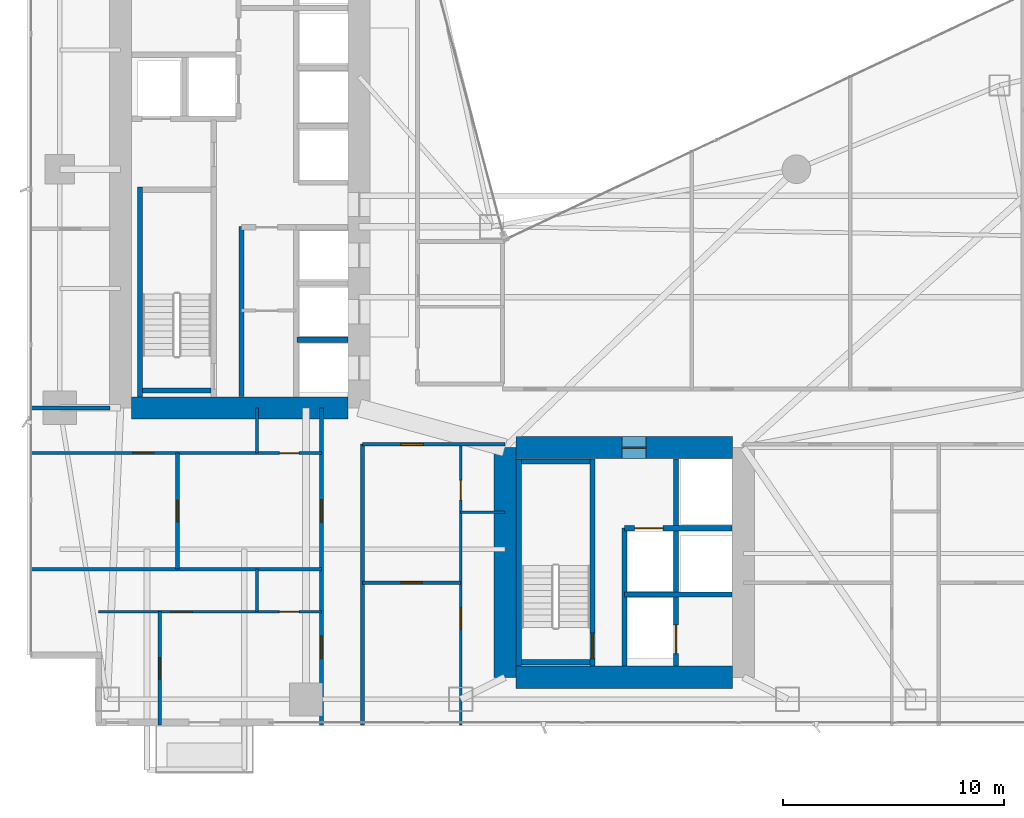
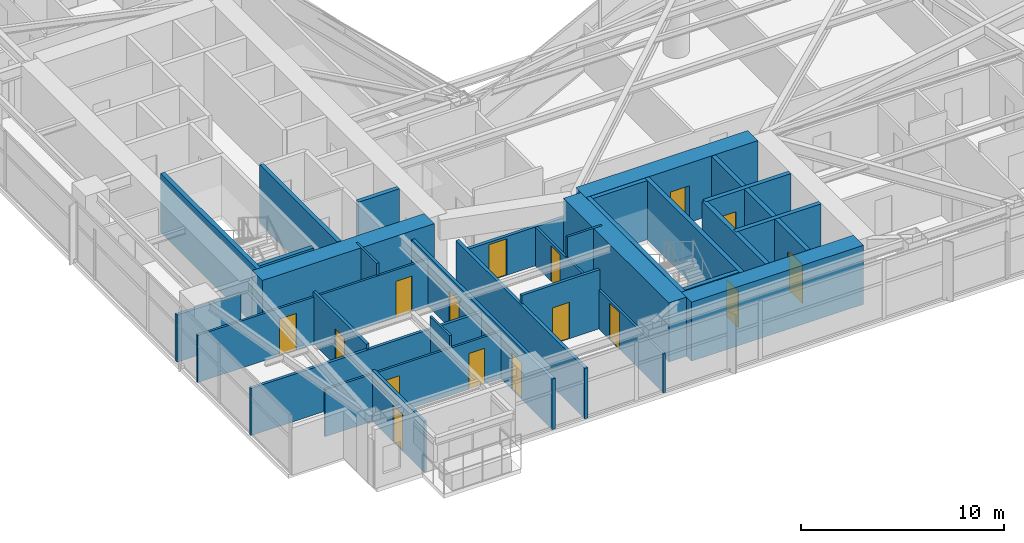
# One storey, part 22 of 29: 30 walls, 16 doors, 16 openings.
"""IFC4 building model written with IfcOpenShell, lengths in metres."""

import ifcopenshell
import ifcopenshell.guid

model = None  # the IFC model being written
_history = None  # IfcOwnerHistory: only IFC2X3 demands one
_inside = {}  # id of a spatial element -> (the spatial element, [elements in it])
_under = {}  # id of a project, library or spatial element -> (it, [spatial elements below it])
_declared = {}  # id of a project -> (the project, [libraries it declares])
_typed = {}  # id of a type object -> (the type object, [elements of that type])
_made_of = {}  # id of a material, layer set ... -> (it, [elements and type objects made of it])


def new_model(schema):
    """Start an empty IFC model of exactly this schema.

    Asked for "IFC4X3", IfcOpenShell would pick the latest addendum, in which some entities
    have other attributes; the version numbers below select the first issue.
    IFC2X3 requires an IfcOwnerHistory on every rooted entity: one is made here for all.
    """
    global model, _history
    if schema == "IFC4X3":
        model = ifcopenshell.file(schema_version=(4, 3, 0, 0))
    else:
        model = ifcopenshell.file(schema=schema)
    _inside.clear()
    _under.clear()
    _declared.clear()
    _typed.clear()
    _made_of.clear()
    _history = None
    if model.schema == "IFC2X3":
        org = make("IfcOrganization", Name="unknown")
        user = make(
            "IfcPersonAndOrganization",
            ThePerson=make("IfcPerson", FamilyName="unknown"),
            TheOrganization=org,
        )
        app = make(
            "IfcApplication",
            ApplicationDeveloper=org,
            Version="unknown",
            ApplicationFullName="unknown",
            ApplicationIdentifier="unknown",
        )
        _history = make(
            "IfcOwnerHistory",
            OwningUser=user,
            OwningApplication=app,
            ChangeAction="ADDED",
            CreationDate=0,
        )
    return model


def make(cls, **values):
    """One entity of the class cls with the attributes given. An attribute that is None is left unset."""
    return model.create_entity(
        cls, **{name: value for name, value in values.items() if value is not None}
    )


def rooted(cls, **values):
    """An entity with a GlobalId (a new one), such as an element, a storey or a relation."""
    return make(cls, GlobalId=ifcopenshell.guid.new(), OwnerHistory=_history, **values)


def si_unit(unit_type, name, prefix=None):
    """IfcSIUnit, for example si_unit("LENGTHUNIT", "METRE", prefix="MILLI")."""
    return make("IfcSIUnit", UnitType=unit_type, Prefix=prefix, Name=name)


def assignment(units):
    """IfcUnitAssignment: the units of a project."""
    return None if units is None else make("IfcUnitAssignment", Units=units)


def point(xyz):
    """IfcCartesianPoint."""
    return None if xyz is None else make("IfcCartesianPoint", Coordinates=xyz)


def direction(xyz):
    """IfcDirection."""
    return None if xyz is None else make("IfcDirection", DirectionRatios=xyz)


def frame(location, z_axis=None, x_axis=None):
    """IfcAxis2Placement3D, a coordinate frame: its origin and axes. An axis left out is left unset."""
    return make(
        "IfcAxis2Placement3D",
        Location=point(location),
        Axis=direction(z_axis),
        RefDirection=direction(x_axis),
    )


def frame_2d(location, x_axis=None):
    """IfcAxis2Placement2D, a coordinate frame in the plane: its origin and x axis."""
    return make(
        "IfcAxis2Placement2D", Location=point(location), RefDirection=direction(x_axis)
    )


def origin():
    """The frame at (0, 0, 0) with its axes left unset."""
    return frame((0.0, 0.0, 0.0))


def place(relative_to, where):
    """IfcLocalPlacement: puts the frame where relative to a parent placement (None: the world)."""
    return make(
        "IfcLocalPlacement", PlacementRelTo=relative_to, RelativePlacement=where
    )


def context(
    kind, dimensions, precision=None, world=None, true_north=None, identifier=None
):
    """IfcGeometricRepresentationContext, for example the 3D "Model" context."""
    return make(
        "IfcGeometricRepresentationContext",
        ContextIdentifier=identifier,
        ContextType=kind,
        CoordinateSpaceDimension=dimensions,
        Precision=precision,
        WorldCoordinateSystem=world,
        TrueNorth=true_north,
    )


def subcontext(parent, identifier, kind, view, scale=None):
    """IfcGeometricRepresentationSubContext, for example "Body" below "Model"."""
    return make(
        "IfcGeometricRepresentationSubContext",
        ContextIdentifier=identifier,
        ContextType=kind,
        ParentContext=parent,
        TargetScale=scale,
        TargetView=view,
    )


def project(units=None, contexts=None):
    """IfcProject with its units and contexts."""
    return rooted(
        "IfcProject",
        Name="project",
        RepresentationContexts=contexts,
        UnitsInContext=assignment(units),
    )


def spatial(cls, under=None, at=None, **own):
    """A site, building, storey or space (cls), placed at a placement, below another one or the project."""
    s = rooted(cls, ObjectPlacement=at, **own)
    if under is not None:
        _under.setdefault(under.id(), (under, []))[1].append(s)
    return s


def profile(cls, at=None, kind="AREA", **sizes):
    """A parametric profile (cls). Its sizes go by their IFC names, for example OverallWidth=200.0."""
    return make(cls, ProfileType=kind, Position=at, **sizes)


def rectangle(**sizes):
    """IfcRectangleProfileDef."""
    return profile("IfcRectangleProfileDef", **sizes)


def extrude(swept, where, along, depth):
    """IfcExtrudedAreaSolid: the profile swept, set in the frame where, extruded along a direction by depth."""
    return make(
        "IfcExtrudedAreaSolid",
        SweptArea=swept,
        Position=where,
        ExtrudedDirection=direction(along),
        Depth=depth,
    )


def shape(context_of_items, identifier, shape_type, items):
    """IfcShapeRepresentation: the items that make up one representation, for example the "Body"."""
    return make(
        "IfcShapeRepresentation",
        ContextOfItems=context_of_items,
        RepresentationIdentifier=identifier,
        RepresentationType=shape_type,
        Items=items,
    )


def material(Name=None, Category=None):
    """IfcMaterial."""
    return make("IfcMaterial", Name=Name, Category=Category)


def layer(
    of_material, thickness, ventilated=None, Name=None, Category=None, Priority=None
):
    """IfcMaterialLayer: one layer of a wall or slab, of a material (None: an air gap)."""
    return make(
        "IfcMaterialLayer",
        Material=of_material,
        LayerThickness=thickness,
        IsVentilated=ventilated,
        Name=Name,
        Category=Category,
        Priority=Priority,
    )


def layer_set(layers, Name=None):
    """IfcMaterialLayerSet."""
    return make("IfcMaterialLayerSet", MaterialLayers=layers, LayerSetName=Name)


def made_of(thing, what):
    """Note that an element or type object is made of a material, layer set ...; save() writes the relation."""
    if what is not None:
        _made_of.setdefault(what.id(), (what, []))[1].append(thing)
    return thing


def type_object(cls, material=None, **own):
    """A type object (cls), such as IfcWallType, which elements share."""
    return made_of(rooted(cls, **own), material)


def element(
    cls,
    number,
    at=None,
    inside=None,
    cuts=None,
    type_object=None,
    material=None,
    context=None,
    identifier="Body",
    shape_type=None,
    held_by="IfcProductDefinitionShape",
    body=None,
    shapes=None,
    **own,
):
    """One element of the class cls, such as IfcWall. Its Tag is "e" and its number.

    at: its placement. inside: the storey or other place that contains it. cuts: it is an
    opening in that element (IfcRelVoidsElement). A single representation is given by context,
    identifier, shape_type and body (its items); several are given by shapes. held_by: the class
    of the entity that holds the representations. save() writes the other relations.
    """
    e = rooted(cls, Tag="e%d" % number, ObjectPlacement=at, **own)
    if body is not None:
        shapes = [shape(context, identifier, shape_type, body)]
    if shapes is not None:
        e.Representation = make(held_by, Representations=shapes)
    if inside is not None:
        _inside.setdefault(inside.id(), (inside, []))[1].append(e)
    if cuts is not None:
        rooted(
            "IfcRelVoidsElement", RelatingBuildingElement=cuts, RelatedOpeningElement=e
        )
    if type_object is not None:
        _typed.setdefault(type_object.id(), (type_object, []))[1].append(e)
    return made_of(e, material)


def fill(opening, filler):
    """IfcRelFillsElement: the door or window that sits in an opening."""
    return rooted(
        "IfcRelFillsElement",
        RelatingOpeningElement=opening,
        RelatedBuildingElement=filler,
    )


def aggregate(whole, parts):
    """IfcRelAggregates: a whole, such as a stair, and the parts it consists of."""
    return rooted("IfcRelAggregates", RelatingObject=whole, RelatedObjects=parts)


def save(model, path):
    """Write the relations noted so far, then the file.

    IfcRelAggregates (storeys below a building ...), IfcRelContainedInSpatialStructure (elements
    in a storey), IfcRelDefinesByType, IfcRelAssociatesMaterial and IfcRelDeclares: one each for
    every whole, place, type object, material and project.
    """
    for whole, parts in _under.values():
        aggregate(whole, parts)
    for where, things in _inside.values():
        rooted(
            "IfcRelContainedInSpatialStructure",
            RelatedElements=things,
            RelatingStructure=where,
        )
    for kind, things in _typed.values():
        rooted("IfcRelDefinesByType", RelatedObjects=things, RelatingType=kind)
    for what, things in _made_of.values():
        rooted("IfcRelAssociatesMaterial", RelatedObjects=things, RelatingMaterial=what)
    for by, libraries in _declared.values():
        rooted("IfcRelDeclares", RelatingContext=by, RelatedDefinitions=libraries)
    model.write(path)


model = new_model("IFC4")

# Units and contexts
model_context = context("Model", 3, precision=1e-05, world=origin(), true_north=direction((0.0, 1.0)))
body_context = subcontext(model_context, "Body", "Model", "MODEL_VIEW")
ifc_project = project(units=[si_unit("LENGTHUNIT", "METRE"), si_unit("AREAUNIT", "SQUARE_METRE"), si_unit("VOLUMEUNIT", "CUBIC_METRE"), si_unit("PLANEANGLEUNIT", "RADIAN"), si_unit("MASSUNIT", "GRAM", prefix="KILO")], contexts=[model_context])

# Site, building, storey
site_placement = place(None, origin())
site = spatial("IfcSite", under=ifc_project, at=site_placement, CompositionType="ELEMENT")
building_placement = place(site_placement, origin())
building = spatial("IfcBuilding", under=site, at=building_placement, Name="Calvorn Quay Hotel", CompositionType="ELEMENT")
storey_placement = place(building_placement, frame((0.0, 0.0, 38.39990234375)))
storey = spatial("IfcBuildingStorey", under=building, at=storey_placement, Name="L08", CompositionType="ELEMENT", Elevation=38.39990234375)

# Walls
ifc_material_1 = material(Name="Concrete C60", Category="concrete")
ifc_layer_1 = layer(ifc_material_1, 1.0)
ifc_layer_set_1 = layer_set([ifc_layer_1], Name="WL-CORE-1000")
wall_type_1 = type_object("IfcWallType", Name="WL-CORE-1000", PredefinedType="SHEAR", material=ifc_layer_set_1)
wall_1_placement = place(storey_placement, frame((4.699951171875, 16.800048828125, 0.0), z_axis=(0.0, 0.0, 1.0), x_axis=(1.0, 0.0, 0.0)))
element("IfcWall", 1, at=wall_1_placement, inside=storey, type_object=wall_type_1, Name="West Core Shear Wall S (L08)", PredefinedType="SHEAR", context=body_context, shape_type="SweptSolid", body=[
    extrude(rectangle(XDim=9.800048828125, YDim=1.0, at=frame_2d((4.89990234375, 0.0))), origin(), (0.0, 0.0, 1.0), 3.56005859375),
])
wall_2_placement = place(storey_placement, frame((21.60009765625, 4.60009765625, 0.0), z_axis=(0.0, 0.0, 1.0), x_axis=(0.0, 1.0, 0.0)))
element("IfcWall", 2, at=wall_2_placement, inside=storey, type_object=wall_type_1, Name="East Core Shear Wall W (L08)", PredefinedType="SHEAR", context=body_context, shape_type="SweptSolid", body=[
    extrude(rectangle(XDim=10.39990234375, YDim=1.0, at=frame_2d((5.199951171875, 0.0))), origin(), (0.0, 0.0, 1.0), 3.56005859375),
])

# Wall, opening, door
wall_3_placement = place(storey_placement, frame((22.10009765625, 15.0, 0.0), z_axis=(0.0, 0.0, 1.0), x_axis=(1.0, 0.0, 0.0)))
wall_3 = element("IfcWall", 3, at=wall_3_placement, inside=storey, type_object=wall_type_1, Name="East Core Shear Wall N (L08)", PredefinedType="SHEAR", context=body_context, shape_type="SweptSolid", body=[
    extrude(rectangle(XDim=9.7998046875, YDim=1.0, at=frame_2d((4.89990234375, 0.0))), origin(), (0.0, 0.0, 1.0), 3.56005859375),
])
opening_1_placement = place(wall_3_placement, frame((4.800048828125, 0.0, 0.0)))
opening_1 = element("IfcOpeningElement", 4, at=opening_1_placement, cuts=wall_3, Name="Opening D-L08-FLE", PredefinedType="OPENING", context=body_context, shape_type="SweptSolid", body=[
    extrude(rectangle(XDim=1.10009765625, YDim=2.199951171875, at=frame_2d((0.550048828125, 1.10009765625))), frame((0.0, 0.510009765625, 0.0), z_axis=(0.0, -1.0, 0.0), x_axis=(1.0, 0.0, 0.0)), (0.0, 0.0, 1.0), 1.02001953125),
])
ifc_material_2 = material(Name="Smoke-Sealed Steel Class A Fire Door", Category="steel")
door_type_1 = type_object("IfcDoorType", Name="DR-FFLOBBY-1100", OperationType="NOTDEFINED", PredefinedType="DOOR", material=ifc_material_2)
door_1_placement = place(opening_1_placement, origin())
door_1 = element("IfcDoor", 5, at=door_1_placement, inside=storey, type_object=door_type_1, Name="East Firefighting Lobby Fire Door (L08)", OperationType="SINGLE_SWING_RIGHT", OverallHeight=2.199951171875, OverallWidth=1.10009765625, PredefinedType="DOOR", context=body_context, shape_type="SweptSolid", body=[
    extrude(rectangle(XDim=1.10009765625, YDim=2.199951171875, at=frame_2d((0.550048828125, 1.10009765625))), frame((0.0, 0.02490234375, 0.0), z_axis=(0.0, -1.0, 0.0), x_axis=(1.0, 0.0, 0.0)), (0.0, 0.0, 1.0), 0.050048828125),
])
fill(opening_1, door_1)

# Walls
wall_4_placement = place(storey_placement, frame((22.10009765625, 4.60009765625, 0.0), z_axis=(0.0, 0.0, 1.0), x_axis=(1.0, 0.0, 0.0)))
element("IfcWall", 6, at=wall_4_placement, inside=storey, type_object=wall_type_1, Name="East Core Shear Wall S (L08)", PredefinedType="SHEAR", context=body_context, shape_type="SweptSolid", body=[
    extrude(rectangle(XDim=9.7998046875, YDim=1.0, at=frame_2d((4.89990234375, 0.0))), origin(), (0.0, 0.0, 1.0), 3.56005859375),
])
ifc_material_3 = material(Name="Acoustic Fireboard Steel-Stud Partition", Category="steel")
ifc_layer_2 = layer(ifc_material_3, 0.179931640625)
ifc_layer_set_2 = layer_set([ifc_layer_2], Name="WL-CORR-FIRE-180")
wall_type_2 = type_object("IfcWallType", Name="WL-CORR-FIRE-180", PredefinedType="PARTITIONING", material=ifc_layer_set_2)
wall_5_placement = place(storey_placement, frame((0.080078125, 16.800048828125, 0.0), z_axis=(0.0, 0.0, 1.0), x_axis=(1.0, 0.0, 0.0)))
element("IfcWall", 7, at=wall_5_placement, inside=storey, type_object=wall_type_2, Name="Partition Wall L08-WL-WBAY-S-WALL", PredefinedType="PARTITIONING", context=body_context, shape_type="SweptSolid", body=[
    extrude(rectangle(XDim=3.64990234375, YDim=0.179931640625, at=frame_2d((1.824951171875, 0.0))), origin(), (0.0, 0.0, 1.0), 2.840087890625),
])

# Wall, openings, doors
wall_6_placement = place(storey_placement, frame((13.300048828125, 2.43994140625, 0.0), z_axis=(0.0, 0.0, 1.0), x_axis=(0.0, 1.0, 0.0)))
wall_6 = element("IfcWall", 8, at=wall_6_placement, inside=storey, type_object=wall_type_2, Name="Partition Wall L08-WL-CORR-SW-LEG-W", PredefinedType="PARTITIONING", context=body_context, shape_type="SweptSolid", body=[
    extrude(rectangle(XDim=14.360107421875, YDim=0.179931640625, at=frame_2d((7.18017578125, 0.0))), origin(), (0.0, 0.0, 1.0), 3.0400390625),
])
opening_2_placement = place(wall_6_placement, frame((3.010009765625, 0.0, 0.0)))
opening_2 = element("IfcOpeningElement", 9, at=opening_2_placement, cuts=wall_6, Name="Opening D-L08-U01", PredefinedType="OPENING", context=body_context, shape_type="SweptSolid", body=[
    extrude(rectangle(XDim=1.02001953125, YDim=2.199951171875, at=frame_2d((0.510009765625, 1.10009765625))), frame((0.0, 0.099853515625, 0.0), z_axis=(0.0, -1.0, 0.0), x_axis=(1.0, 0.0, 0.0)), (0.0, 0.0, 1.0), 0.199951171875),
])
opening_3_placement = place(wall_6_placement, frame((9.179931640625, 0.0, 0.0)))
opening_3 = element("IfcOpeningElement", 10, at=opening_3_placement, cuts=wall_6, Name="Opening D-L08-U02", PredefinedType="OPENING", context=body_context, shape_type="SweptSolid", body=[
    extrude(rectangle(XDim=1.02001953125, YDim=2.199951171875, at=frame_2d((0.510009765625, 1.10009765625))), frame((0.0, 0.099853515625, 0.0), z_axis=(0.0, -1.0, 0.0), x_axis=(1.0, 0.0, 0.0)), (0.0, 0.0, 1.0), 0.199951171875),
])
ifc_material_4 = material(Name="Solid-Core Walnut Veneer Hotel Fire Door")
door_type_2 = type_object("IfcDoorType", Name="DR-GUEST-ENTRY-1020", OperationType="NOTDEFINED", PredefinedType="DOOR", material=ifc_material_4)
door_2_placement = place(opening_2_placement, origin())
door_2 = element("IfcDoor", 11, at=door_2_placement, inside=storey, type_object=door_type_2, Name="South-West Unit Door U01 (L08)", OperationType="SINGLE_SWING_LEFT", OverallHeight=2.199951171875, OverallWidth=1.02001953125, PredefinedType="DOOR", context=body_context, shape_type="SweptSolid", body=[
    extrude(rectangle(XDim=1.02001953125, YDim=2.199951171875, at=frame_2d((0.510009765625, 1.10009765625))), frame((0.0, 0.02490234375, 0.0), z_axis=(0.0, -1.0, 0.0), x_axis=(1.0, 0.0, 0.0)), (0.0, 0.0, 1.0), 0.050048828125),
])
fill(opening_2, door_2)
door_3_placement = place(opening_3_placement, origin())
door_3 = element("IfcDoor", 12, at=door_3_placement, inside=storey, type_object=door_type_2, Name="South-West Unit Door U02 (L08)", OperationType="SINGLE_SWING_RIGHT", OverallHeight=2.199951171875, OverallWidth=1.02001953125, PredefinedType="DOOR", context=body_context, shape_type="SweptSolid", body=[
    extrude(rectangle(XDim=1.02001953125, YDim=2.199951171875, at=frame_2d((0.510009765625, 1.10009765625))), frame((0.0, 0.02490234375, 0.0), z_axis=(0.0, -1.0, 0.0), x_axis=(1.0, 0.0, 0.0)), (0.0, 0.0, 1.0), 0.050048828125),
])
fill(opening_3, door_3)

# Wall
wall_7_placement = place(storey_placement, frame((15.14990234375, 2.43994140625, 0.0), z_axis=(0.0, 0.0, 1.0), x_axis=(0.0, 1.0, 0.0)))
element("IfcWall", 13, at=wall_7_placement, inside=storey, type_object=wall_type_2, Name="Partition Wall L08-WL-CORR-SW-W", PredefinedType="PARTITIONING", context=body_context, shape_type="SweptSolid", body=[
    extrude(rectangle(XDim=12.7099609375, YDim=0.179931640625, at=frame_2d((6.35498046875, 0.0))), origin(), (0.0, 0.0, 1.0), 3.0400390625),
])

# Wall, opening, door
wall_8_placement = place(storey_placement, frame((15.14990234375, 15.14990234375, 0.0), z_axis=(0.0, 0.0, 1.0), x_axis=(1.0, 0.0, 0.0)))
wall_8 = element("IfcWall", 14, at=wall_8_placement, inside=storey, type_object=wall_type_2, Name="Partition Wall L08-WL-SC-CORR-S", PredefinedType="PARTITIONING", context=body_context, shape_type="SweptSolid", body=[
    extrude(rectangle(XDim=6.4501953125, YDim=0.179931640625, at=frame_2d((3.22509765625, 0.0))), origin(), (0.0, 0.0, 1.0), 2.340087890625),
])
opening_4_placement = place(wall_8_placement, frame((1.739990234375, 0.0, 0.0)))
opening_4 = element("IfcOpeningElement", 15, at=opening_4_placement, cuts=wall_8, Name="Opening D-L08-U03", PredefinedType="OPENING", context=body_context, shape_type="SweptSolid", body=[
    extrude(rectangle(XDim=1.02001953125, YDim=2.199951171875, at=frame_2d((0.510009765625, 1.10009765625))), frame((0.0, 0.099853515625, 0.0), z_axis=(0.0, -1.0, 0.0), x_axis=(1.0, 0.0, 0.0)), (0.0, 0.0, 1.0), 0.199951171875),
])
door_4_placement = place(opening_4_placement, origin())
door_4 = element("IfcDoor", 16, at=door_4_placement, inside=storey, type_object=door_type_2, Name="Harbour Central Unit Door (L08)", OperationType="SINGLE_SWING_LEFT", OverallHeight=2.199951171875, OverallWidth=1.02001953125, PredefinedType="DOOR", context=body_context, shape_type="SweptSolid", body=[
    extrude(rectangle(XDim=1.02001953125, YDim=2.199951171875, at=frame_2d((0.510009765625, 1.10009765625))), frame((0.0, 0.02490234375, 0.0), z_axis=(0.0, -1.0, 0.0), x_axis=(1.0, 0.0, 0.0)), (0.0, 0.0, 1.0), 0.050048828125),
])
fill(opening_4, door_4)

# Wall
ifc_material_5 = material(Name="Moisture-Resistant Tile-Backed Partition")
ifc_layer_3 = layer(ifc_material_5, 0.125)
ifc_layer_set_3 = layer_set([ifc_layer_3], Name="WL-ENSUITE-125")
wall_type_3 = type_object("IfcWallType", Name="WL-ENSUITE-125", PredefinedType="PARTITIONING", material=ifc_layer_set_3)
wall_9_placement = place(storey_placement, frame((10.3798828125, 7.570068359375, 0.0), z_axis=(0.0, 0.0, 1.0), x_axis=(0.0, 1.0, 0.0)))
element("IfcWall", 17, at=wall_9_placement, inside=storey, type_object=wall_type_3, Name="Partition Wall L08-WL-U01-BDV", PredefinedType="PARTITIONING", context=body_context, shape_type="SweptSolid", body=[
    extrude(rectangle(XDim=1.929931640625, YDim=0.125, at=frame_2d((0.96484375, 0.0))), origin(), (0.0, 0.0, 1.0), 3.56005859375),
])

# Wall, openings, doors
wall_10_placement = place(storey_placement, frame((3.199951171875, 7.570068359375, 0.0), z_axis=(0.0, 0.0, 1.0), x_axis=(1.0, 0.0, 0.0)))
wall_10 = element("IfcWall", 18, at=wall_10_placement, inside=storey, type_object=wall_type_3, Name="Partition Wall L08-WL-U01-BH", PredefinedType="PARTITIONING", context=body_context, shape_type="SweptSolid", body=[
    extrude(rectangle(XDim=10.10009765625, YDim=0.125, at=frame_2d((5.050048828125, 0.0))), origin(), (0.0, 0.0, 1.0), 2.840087890625),
])
opening_5_placement = place(wall_10_placement, frame((3.2900390625, 0.0, 0.0)))
opening_5 = element("IfcOpeningElement", 19, at=opening_5_placement, cuts=wall_10, Name="Opening D-L08-S01", PredefinedType="OPENING", context=body_context, shape_type="SweptSolid", body=[
    extrude(rectangle(XDim=0.9599609375, YDim=2.199951171875, at=frame_2d((0.47998046875, 1.10009765625))), frame((0.0, 0.072509765625, 0.0), z_axis=(0.0, -1.0, 0.0), x_axis=(1.0, 0.0, 0.0)), (0.0, 0.0, 1.0), 0.14501953125),
])
opening_6_placement = place(wall_10_placement, frame((8.18994140625, 0.0, 0.0)))
opening_6 = element("IfcOpeningElement", 20, at=opening_6_placement, cuts=wall_10, Name="Opening D-L08-E01", PredefinedType="OPENING", context=body_context, shape_type="SweptSolid", body=[
    extrude(rectangle(XDim=0.89990234375, YDim=2.14990234375, at=frame_2d((0.449951171875, 1.074951171875))), frame((0.0, 0.072509765625, 0.0), z_axis=(0.0, -1.0, 0.0), x_axis=(1.0, 0.0, 0.0)), (0.0, 0.0, 1.0), 0.14501953125),
])
ifc_material_6 = material(Name="Moisture-Sealed Timber En-Suite Door", Category="wood")
door_type_3 = type_object("IfcDoorType", Name="DR-ENSUITE-900", OperationType="NOTDEFINED", PredefinedType="DOOR", material=ifc_material_6)
door_5_placement = place(opening_6_placement, origin())
door_5 = element("IfcDoor", 21, at=door_5_placement, inside=storey, type_object=door_type_3, Name="En-Suite Door 01", OperationType="SINGLE_SWING_RIGHT", OverallHeight=2.14990234375, OverallWidth=0.89990234375, PredefinedType="DOOR", context=body_context, shape_type="SweptSolid", body=[
    extrude(rectangle(XDim=0.89990234375, YDim=2.14990234375, at=frame_2d((0.449951171875, 1.074951171875))), frame((0.0, 0.02490234375, 0.0), z_axis=(0.0, -1.0, 0.0), x_axis=(1.0, 0.0, 0.0)), (0.0, 0.0, 1.0), 0.050048828125),
])
fill(opening_6, door_5)
ifc_material_7 = material(Name="Solid Timber Internal Suite Door", Category="wood")
door_type_4 = type_object("IfcDoorType", Name="DR-SUITE-INT-960", OperationType="NOTDEFINED", PredefinedType="DOOR", material=ifc_material_7)
door_6_placement = place(opening_5_placement, origin())
door_6 = element("IfcDoor", 22, at=door_6_placement, inside=storey, type_object=door_type_4, Name="Harbour Tea Room Door 01", OperationType="SINGLE_SWING_LEFT", OverallHeight=2.199951171875, OverallWidth=0.9599609375, PredefinedType="DOOR", context=body_context, shape_type="SweptSolid", body=[
    extrude(rectangle(XDim=0.9599609375, YDim=2.199951171875, at=frame_2d((0.47998046875, 1.10009765625))), frame((0.0, 0.02490234375, 0.0), z_axis=(0.0, -1.0, 0.0), x_axis=(1.0, 0.0, 0.0)), (0.0, 0.0, 1.0), 0.050048828125),
])
fill(opening_5, door_6)

# Wall
wall_11_placement = place(storey_placement, frame((10.3798828125, 14.75, 0.0), z_axis=(0.0, 0.0, 1.0), x_axis=(0.0, 1.0, 0.0)))
element("IfcWall", 23, at=wall_11_placement, inside=storey, type_object=wall_type_3, Name="Partition Wall L08-WL-U02-BDV", PredefinedType="PARTITIONING", context=body_context, shape_type="SweptSolid", body=[
    extrude(rectangle(XDim=2.050048828125, YDim=0.125, at=frame_2d((1.02490234375, 0.0))), origin(), (0.0, 0.0, 1.0), 3.56005859375),
])

# Wall, openings, doors
wall_12_placement = place(storey_placement, frame((0.080078125, 14.75, 0.0), z_axis=(0.0, 0.0, 1.0), x_axis=(1.0, 0.0, 0.0)))
wall_12 = element("IfcWall", 24, at=wall_12_placement, inside=storey, type_object=wall_type_3, Name="Partition Wall L08-WL-U02-BH", PredefinedType="PARTITIONING", context=body_context, shape_type="SweptSolid", body=[
    extrude(rectangle(XDim=13.219970703125, YDim=0.125, at=frame_2d((6.60986328125, 0.0))), origin(), (0.0, 0.0, 1.0), 2.840087890625),
])
opening_7_placement = place(wall_12_placement, frame((4.669921875, 0.0, 0.0)))
opening_7 = element("IfcOpeningElement", 25, at=opening_7_placement, cuts=wall_12, Name="Opening D-L08-S02", PredefinedType="OPENING", context=body_context, shape_type="SweptSolid", body=[
    extrude(rectangle(XDim=0.9599609375, YDim=2.199951171875, at=frame_2d((0.47998046875, 1.10009765625))), frame((0.0, 0.072509765625, 0.0), z_axis=(0.0, -1.0, 0.0), x_axis=(1.0, 0.0, 0.0)), (0.0, 0.0, 1.0), 0.14501953125),
])
opening_8_placement = place(wall_12_placement, frame((11.31005859375, 0.0, 0.0)))
opening_8 = element("IfcOpeningElement", 26, at=opening_8_placement, cuts=wall_12, Name="Opening D-L08-E02", PredefinedType="OPENING", context=body_context, shape_type="SweptSolid", body=[
    extrude(rectangle(XDim=0.89990234375, YDim=2.14990234375, at=frame_2d((0.449951171875, 1.074951171875))), frame((0.0, 0.072509765625, 0.0), z_axis=(0.0, -1.0, 0.0), x_axis=(1.0, 0.0, 0.0)), (0.0, 0.0, 1.0), 0.14501953125),
])
door_7_placement = place(opening_8_placement, origin())
door_7 = element("IfcDoor", 27, at=door_7_placement, inside=storey, type_object=door_type_3, Name="En-Suite Door 02", OperationType="SINGLE_SWING_RIGHT", OverallHeight=2.14990234375, OverallWidth=0.89990234375, PredefinedType="DOOR", context=body_context, shape_type="SweptSolid", body=[
    extrude(rectangle(XDim=0.89990234375, YDim=2.14990234375, at=frame_2d((0.449951171875, 1.074951171875))), frame((0.0, 0.02490234375, 0.0), z_axis=(0.0, -1.0, 0.0), x_axis=(1.0, 0.0, 0.0)), (0.0, 0.0, 1.0), 0.050048828125),
])
fill(opening_8, door_7)
door_8_placement = place(opening_7_placement, origin())
door_8 = element("IfcDoor", 28, at=door_8_placement, inside=storey, type_object=door_type_4, Name="Harbour Tea Room Door 02", OperationType="SINGLE_SWING_LEFT", OverallHeight=2.199951171875, OverallWidth=0.9599609375, PredefinedType="DOOR", context=body_context, shape_type="SweptSolid", body=[
    extrude(rectangle(XDim=0.9599609375, YDim=2.199951171875, at=frame_2d((0.47998046875, 1.10009765625))), frame((0.0, 0.02490234375, 0.0), z_axis=(0.0, -1.0, 0.0), x_axis=(1.0, 0.0, 0.0)), (0.0, 0.0, 1.0), 0.050048828125),
])
fill(opening_7, door_8)

# Wall
wall_13_placement = place(storey_placement, frame((19.60009765625, 12.070068359375, 0.0), z_axis=(0.0, 0.0, 1.0), x_axis=(1.0, 0.0, 0.0)))
element("IfcWall", 29, at=wall_13_placement, inside=storey, type_object=wall_type_3, Name="Partition Wall L08-WL-U03-BDV", PredefinedType="PARTITIONING", context=body_context, shape_type="SweptSolid", body=[
    extrude(rectangle(XDim=2.0, YDim=0.125, at=frame_2d((1.0, 0.0))), origin(), (0.0, 0.0, 1.0), 3.56005859375),
])

# Wall, openings, doors
wall_14_placement = place(storey_placement, frame((19.60009765625, 2.43994140625, 0.0), z_axis=(0.0, 0.0, 1.0), x_axis=(0.0, 1.0, 0.0)))
wall_14 = element("IfcWall", 30, at=wall_14_placement, inside=storey, type_object=wall_type_3, Name="Partition Wall L08-WL-U03-BV", PredefinedType="PARTITIONING", context=body_context, shape_type="SweptSolid", body=[
    extrude(rectangle(XDim=12.7099609375, YDim=0.125, at=frame_2d((6.35498046875, 0.0))), origin(), (0.0, 0.0, 1.0), 2.340087890625),
])
opening_9_placement = place(wall_14_placement, frame((4.340087890625, 0.0, 0.0)))
opening_9 = element("IfcOpeningElement", 31, at=opening_9_placement, cuts=wall_14, Name="Opening D-L08-S03", PredefinedType="OPENING", context=body_context, shape_type="SweptSolid", body=[
    extrude(rectangle(XDim=0.9599609375, YDim=2.199951171875, at=frame_2d((0.47998046875, 1.10009765625))), frame((0.0, 0.072509765625, 0.0), z_axis=(0.0, -1.0, 0.0), x_axis=(1.0, 0.0, 0.0)), (0.0, 0.0, 1.0), 0.14501953125),
])
opening_10_placement = place(wall_14_placement, frame((10.179931640625, 0.0, 0.0)))
opening_10 = element("IfcOpeningElement", 32, at=opening_10_placement, cuts=wall_14, Name="Opening D-L08-E03", PredefinedType="OPENING", context=body_context, shape_type="SweptSolid", body=[
    extrude(rectangle(XDim=0.89990234375, YDim=2.14990234375, at=frame_2d((0.449951171875, 1.074951171875))), frame((0.0, 0.072509765625, 0.0), z_axis=(0.0, -1.0, 0.0), x_axis=(1.0, 0.0, 0.0)), (0.0, 0.0, 1.0), 0.14501953125),
])
door_9_placement = place(opening_10_placement, origin())
door_9 = element("IfcDoor", 33, at=door_9_placement, inside=storey, type_object=door_type_3, Name="En-Suite Door 03", OperationType="SINGLE_SWING_RIGHT", OverallHeight=2.14990234375, OverallWidth=0.89990234375, PredefinedType="DOOR", context=body_context, shape_type="SweptSolid", body=[
    extrude(rectangle(XDim=0.89990234375, YDim=2.14990234375, at=frame_2d((0.449951171875, 1.074951171875))), frame((0.0, 0.02490234375, 0.0), z_axis=(0.0, -1.0, 0.0), x_axis=(1.0, 0.0, 0.0)), (0.0, 0.0, 1.0), 0.050048828125),
])
fill(opening_10, door_9)
door_10_placement = place(opening_9_placement, origin())
door_10 = element("IfcDoor", 34, at=door_10_placement, inside=storey, type_object=door_type_4, Name="Harbour Tea Room Door 03", OperationType="SINGLE_SWING_LEFT", OverallHeight=2.199951171875, OverallWidth=0.9599609375, PredefinedType="DOOR", context=body_context, shape_type="SweptSolid", body=[
    extrude(rectangle(XDim=0.9599609375, YDim=2.199951171875, at=frame_2d((0.47998046875, 1.10009765625))), frame((0.0, 0.02490234375, 0.0), z_axis=(0.0, -1.0, 0.0), x_axis=(1.0, 0.0, 0.0)), (0.0, 0.0, 1.0), 0.050048828125),
])
fill(opening_9, door_10)

# Wall, opening, door
ifc_material_8 = material(Name="Double-Stud Acoustic Gypsum Partition")
ifc_layer_4 = layer(ifc_material_8, 0.159912109375)
ifc_layer_set_4 = layer_set([ifc_layer_4], Name="WL-INTERSUITE-160")
wall_type_4 = type_object("IfcWallType", Name="WL-INTERSUITE-160", PredefinedType="PARTITIONING", material=ifc_layer_set_4)
wall_15_placement = place(storey_placement, frame((5.97998046875, 2.43994140625, 0.0), z_axis=(0.0, 0.0, 1.0), x_axis=(0.0, 1.0, 0.0)))
wall_15 = element("IfcWall", 35, at=wall_15_placement, inside=storey, type_object=wall_type_4, Name="Partition Wall L08-WL-U01-MSP", PredefinedType="PARTITIONING", context=body_context, shape_type="SweptSolid", body=[
    extrude(rectangle(XDim=5.130126953125, YDim=0.159912109375, at=frame_2d((2.56494140625, 0.0))), origin(), (0.0, 0.0, 1.0), 3.0400390625),
])
opening_11_placement = place(wall_15_placement, frame((2.090087890625, 0.0, 0.0)))
opening_11 = element("IfcOpeningElement", 36, at=opening_11_placement, cuts=wall_15, Name="Opening D-L08-M01", PredefinedType="OPENING", context=body_context, shape_type="SweptSolid", body=[
    extrude(rectangle(XDim=0.9599609375, YDim=2.199951171875, at=frame_2d((0.47998046875, 1.10009765625))), frame((0.0, 0.08984375, 0.0), z_axis=(0.0, -1.0, 0.0), x_axis=(1.0, 0.0, 0.0)), (0.0, 0.0, 1.0), 0.179931640625),
])
door_11_placement = place(opening_11_placement, origin())
door_11 = element("IfcDoor", 37, at=door_11_placement, inside=storey, type_object=door_type_4, Name="Suite Bedroom Door 01", OperationType="SINGLE_SWING_LEFT", OverallHeight=2.199951171875, OverallWidth=0.9599609375, PredefinedType="DOOR", context=body_context, shape_type="SweptSolid", body=[
    extrude(rectangle(XDim=0.9599609375, YDim=2.199951171875, at=frame_2d((0.47998046875, 1.10009765625))), frame((0.0, 0.02490234375, 0.0), z_axis=(0.0, -1.0, 0.0), x_axis=(1.0, 0.0, 0.0)), (0.0, 0.0, 1.0), 0.050048828125),
])
fill(opening_11, door_11)

wall_16_placement = place(storey_placement, frame((6.780029296875, 9.5, 0.0), z_axis=(0.0, 0.0, 1.0), x_axis=(0.0, 1.0, 0.0)))
wall_16 = element("IfcWall", 38, at=wall_16_placement, inside=storey, type_object=wall_type_4, Name="Partition Wall L08-WL-U02-MSP", PredefinedType="PARTITIONING", context=body_context, shape_type="SweptSolid", body=[
    extrude(rectangle(XDim=5.25, YDim=0.159912109375, at=frame_2d((2.625, 0.0))), origin(), (0.0, 0.0, 1.0), 3.14013671875),
])
opening_12_placement = place(wall_16_placement, frame((2.14990234375, 0.0, 0.0)))
opening_12 = element("IfcOpeningElement", 39, at=opening_12_placement, cuts=wall_16, Name="Opening D-L08-M02", PredefinedType="OPENING", context=body_context, shape_type="SweptSolid", body=[
    extrude(rectangle(XDim=0.9599609375, YDim=2.199951171875, at=frame_2d((0.47998046875, 1.10009765625))), frame((0.0, 0.08984375, 0.0), z_axis=(0.0, -1.0, 0.0), x_axis=(1.0, 0.0, 0.0)), (0.0, 0.0, 1.0), 0.179931640625),
])
door_12_placement = place(opening_12_placement, origin())
door_12 = element("IfcDoor", 40, at=door_12_placement, inside=storey, type_object=door_type_4, Name="Suite Bedroom Door 02", OperationType="SINGLE_SWING_LEFT", OverallHeight=2.199951171875, OverallWidth=0.9599609375, PredefinedType="DOOR", context=body_context, shape_type="SweptSolid", body=[
    extrude(rectangle(XDim=0.9599609375, YDim=2.199951171875, at=frame_2d((0.47998046875, 1.10009765625))), frame((0.0, 0.02490234375, 0.0), z_axis=(0.0, -1.0, 0.0), x_axis=(1.0, 0.0, 0.0)), (0.0, 0.0, 1.0), 0.050048828125),
])
fill(opening_12, door_12)

# Wall
wall_17_placement = place(storey_placement, frame((0.080078125, 9.5, 0.0), z_axis=(0.0, 0.0, 1.0), x_axis=(1.0, 0.0, 0.0)))
element("IfcWall", 41, at=wall_17_placement, inside=storey, type_object=wall_type_4, Name="Partition Wall L08-WL-SW-DIV-1", PredefinedType="PARTITIONING", context=body_context, shape_type="SweptSolid", body=[
    extrude(rectangle(XDim=13.219970703125, YDim=0.159912109375, at=frame_2d((6.60986328125, 0.0))), origin(), (0.0, 0.0, 1.0), 2.840087890625),
])

# Wall, opening, door
wall_18_placement = place(storey_placement, frame((15.14990234375, 8.8701171875, 0.0), z_axis=(0.0, 0.0, 1.0), x_axis=(1.0, 0.0, 0.0)))
wall_18 = element("IfcWall", 42, at=wall_18_placement, inside=storey, type_object=wall_type_4, Name="Partition Wall L08-WL-U03-MSP", PredefinedType="PARTITIONING", context=body_context, shape_type="SweptSolid", body=[
    extrude(rectangle(XDim=4.4501953125, YDim=0.159912109375, at=frame_2d((2.22509765625, 0.0))), origin(), (0.0, 0.0, 1.0), 3.56005859375),
])
opening_13_placement = place(wall_18_placement, frame((1.75, 0.0, 0.0)))
opening_13 = element("IfcOpeningElement", 43, at=opening_13_placement, cuts=wall_18, Name="Opening D-L08-M03", PredefinedType="OPENING", context=body_context, shape_type="SweptSolid", body=[
    extrude(rectangle(XDim=0.9599609375, YDim=2.199951171875, at=frame_2d((0.47998046875, 1.10009765625))), frame((0.0, 0.08984375, 0.0), z_axis=(0.0, -1.0, 0.0), x_axis=(1.0, 0.0, 0.0)), (0.0, 0.0, 1.0), 0.179931640625),
])
door_13_placement = place(opening_13_placement, origin())
door_13 = element("IfcDoor", 44, at=door_13_placement, inside=storey, type_object=door_type_4, Name="Suite Bedroom Door 03", OperationType="SINGLE_SWING_LEFT", OverallHeight=2.199951171875, OverallWidth=0.9599609375, PredefinedType="DOOR", context=body_context, shape_type="SweptSolid", body=[
    extrude(rectangle(XDim=0.9599609375, YDim=2.199951171875, at=frame_2d((0.47998046875, 1.10009765625))), frame((0.0, 0.02490234375, 0.0), z_axis=(0.0, -1.0, 0.0), x_axis=(1.0, 0.0, 0.0)), (0.0, 0.0, 1.0), 0.050048828125),
])
fill(opening_13, door_13)

# Walls
ifc_material_9 = material(Name="Autoclaved Aerated Masonry Block", Category="masonry")
ifc_layer_5 = layer(ifc_material_9, 0.219970703125)
ifc_layer_set_5 = layer_set([ifc_layer_5], Name="WL-LOBBY-FIRE-220")
wall_type_5 = type_object("IfcWallType", Name="WL-LOBBY-FIRE-220", PredefinedType="SOLIDWALL", material=ifc_layer_set_5)
wall_19_placement = place(storey_placement, frame((9.679931640625, 17.320068359375, 0.0), z_axis=(0.0, 0.0, 1.0), x_axis=(0.0, 1.0, 0.0)))
element("IfcWall", 45, at=wall_19_placement, inside=storey, type_object=wall_type_5, Name="Partition Wall L08-WL-CWW-STW-HALL-E", PredefinedType="SOLIDWALL", context=body_context, shape_type="SweptSolid", body=[
    extrude(rectangle(XDim=7.679931640625, YDim=0.219970703125, at=frame_2d((3.83984375, 0.0))), origin(), (0.0, 0.0, 1.0), 3.56005859375),
])
ifc_material_10 = material(Name="Concrete C40", Category="concrete")
ifc_layer_6 = layer(ifc_material_10, 0.239990234375)
ifc_layer_set_6 = layer_set([ifc_layer_6], Name="WL-SHAFT-240")
wall_type_6 = type_object("IfcWallType", Name="WL-SHAFT-240", PredefinedType="SOLIDWALL", material=ifc_layer_set_6)
wall_20_placement = place(storey_placement, frame((5.080078125, 17.300048828125, 0.0), z_axis=(0.0, 0.0, 1.0), x_axis=(0.0, 1.0, 0.0)))
element("IfcWall", 46, at=wall_20_placement, inside=storey, type_object=wall_type_6, Name="Stair STW Shaft Wall W (L08)", PredefinedType="SOLIDWALL", context=body_context, shape_type="SweptSolid", body=[
    extrude(rectangle(XDim=9.489990234375, YDim=0.239990234375, at=frame_2d((4.7451171875, 0.0))), origin(), (0.0, 0.0, 1.0), 3.56005859375),
])
wall_21_placement = place(storey_placement, frame((5.199951171875, 17.580078125, 0.0), z_axis=(0.0, 0.0, 1.0), x_axis=(1.0, 0.0, 0.0)))
element("IfcWall", 47, at=wall_21_placement, inside=storey, type_object=wall_type_6, Name="Stair STW Shaft Wall S (L08)", PredefinedType="SOLIDWALL", context=body_context, shape_type="SweptSolid", body=[
    extrude(rectangle(XDim=3.10009765625, YDim=0.239990234375, at=frame_2d((1.550048828125, 0.0))), origin(), (0.0, 0.0, 1.0), 3.56005859375),
])
wall_22_placement = place(storey_placement, frame((22.22998046875, 5.10009765625, 0.0), z_axis=(0.0, 0.0, 1.0), x_axis=(0.0, 1.0, 0.0)))
element("IfcWall", 48, at=wall_22_placement, inside=storey, type_object=wall_type_6, Name="Stair STE Shaft Wall W (L08)", PredefinedType="SOLIDWALL", context=body_context, shape_type="SweptSolid", body=[
    extrude(rectangle(XDim=9.389892578125, YDim=0.239990234375, at=frame_2d((4.69482421875, 0.0))), origin(), (0.0, 0.0, 1.0), 3.56005859375),
])

# Wall, opening, door
wall_23_placement = place(storey_placement, frame((25.570068359375, 5.10009765625, 0.0), z_axis=(0.0, 0.0, 1.0), x_axis=(0.0, 1.0, 0.0)))
wall_23 = element("IfcWall", 49, at=wall_23_placement, inside=storey, type_object=wall_type_6, Name="Stair STE Shaft Wall E (L08)", PredefinedType="SOLIDWALL", context=body_context, shape_type="SweptSolid", body=[
    extrude(rectangle(XDim=9.389892578125, YDim=0.239990234375, at=frame_2d((4.69482421875, 0.0))), origin(), (0.0, 0.0, 1.0), 3.56005859375),
])
opening_14_placement = place(wall_23_placement, frame((0.35009765625, 0.0, 0.0)))
opening_14 = element("IfcOpeningElement", 50, at=opening_14_placement, cuts=wall_23, Name="Opening D-L08-STE", PredefinedType="OPENING", context=body_context, shape_type="SweptSolid", body=[
    extrude(rectangle(XDim=1.14990234375, YDim=2.199951171875, at=frame_2d((0.574951171875, 1.10009765625))), frame((0.0, 0.1298828125, 0.0), z_axis=(0.0, -1.0, 0.0), x_axis=(1.0, 0.0, 0.0)), (0.0, 0.0, 1.0), 0.260009765625),
])
ifc_material_11 = material(Name="Galvanised Steel Class A Fire Door", Category="steel")
door_type_5 = type_object("IfcDoorType", Name="DR-STAIR-SMOKE-1150", OperationType="NOTDEFINED", PredefinedType="DOOR", material=ifc_material_11)
door_14_placement = place(opening_14_placement, origin())
door_14 = element("IfcDoor", 51, at=door_14_placement, inside=storey, type_object=door_type_5, Name="Stair ST-E Fire Door (L08)", OperationType="SINGLE_SWING_RIGHT", OverallHeight=2.199951171875, OverallWidth=1.14990234375, PredefinedType="DOOR", context=body_context, shape_type="SweptSolid", body=[
    extrude(rectangle(XDim=1.14990234375, YDim=2.199951171875, at=frame_2d((0.574951171875, 1.10009765625))), frame((0.0, 0.02490234375, 0.0), z_axis=(0.0, -1.0, 0.0), x_axis=(1.0, 0.0, 0.0)), (0.0, 0.0, 1.0), 0.050048828125),
])
fill(opening_14, door_14)

# Walls
for number, where, z_axis, x_axis, name in (
    (52, (22.35009765625, 5.280029296875, 0.0), (0.0, 0.0, 1.0), (1.0, 0.0, 0.0), "Stair STE Shaft Wall S (L08)"),
    (53, (22.35009765625, 14.3701171875, 0.0), (0.0, 0.0, 1.0), (1.0, 0.0, 0.0), "Stair STE Shaft Wall N (L08)"),
):
    element("IfcWall", number, at=place(storey_placement, frame(where, z_axis=z_axis, x_axis=x_axis)), inside=storey, type_object=wall_type_6, Name=name, PredefinedType="SOLIDWALL", context=body_context, shape_type="SweptSolid", body=[
        extrude(rectangle(XDim=3.099853515625, YDim=0.239990234375, at=frame_2d((1.5498046875, 0.0))), origin(), (0.0, 0.0, 1.0), 3.56005859375),
    ])
wall_24_placement = place(storey_placement, frame((12.179931640625, 19.875, 0.0), z_axis=(0.0, 0.0, 1.0), x_axis=(1.0, 0.0, 0.0)))
element("IfcWall", 54, at=wall_24_placement, inside=storey, type_object=wall_type_6, Name="Lift Hoistway Divider Wall PLL12 (L08)", PredefinedType="SOLIDWALL", context=body_context, shape_type="SweptSolid", body=[
    extrude(rectangle(XDim=2.320068359375, YDim=0.239990234375, at=frame_2d((1.16015625, 0.0))), origin(), (0.0, 0.0, 1.0), 3.56005859375),
])
wall_25_placement = place(storey_placement, frame((27.02001953125, 5.1201171875, 0.0), z_axis=(0.0, 0.0, 1.0), x_axis=(0.0, 1.0, 0.0)))
element("IfcWall", 55, at=wall_25_placement, inside=storey, type_object=wall_type_6, Name="Partition Wall L08-WL-CWE-SH-W", PredefinedType="SOLIDWALL", context=body_context, shape_type="SweptSolid", body=[
    extrude(rectangle(XDim=6.22998046875, YDim=0.239990234375, at=frame_2d((3.114990234375, 0.0))), origin(), (0.0, 0.0, 1.0), 3.56005859375),
])

# Wall, opening, door
wall_26_placement = place(storey_placement, frame((27.02001953125, 11.35009765625, 0.0), z_axis=(0.0, 0.0, 1.0), x_axis=(1.0, 0.0, 0.0)))
wall_26 = element("IfcWall", 56, at=wall_26_placement, inside=storey, type_object=wall_type_6, Name="Partition Wall L08-WL-CWE-FFL-S", PredefinedType="SOLIDWALL", context=body_context, shape_type="SweptSolid", body=[
    extrude(rectangle(XDim=4.85986328125, YDim=0.239990234375, at=frame_2d((2.429931640625, 0.0))), origin(), (0.0, 0.0, 1.0), 3.56005859375),
])
opening_15_placement = place(wall_26_placement, frame((0.449951171875, 0.0, 0.0)))
opening_15 = element("IfcOpeningElement", 57, at=opening_15_placement, cuts=wall_26, Name="Opening LD-L08-FLE1", PredefinedType="OPENING", context=body_context, shape_type="SweptSolid", body=[
    extrude(rectangle(XDim=1.300048828125, YDim=2.35009765625, at=frame_2d((0.64990234375, 1.175048828125))), frame((0.0, 0.1298828125, 0.0), z_axis=(0.0, -1.0, 0.0), x_axis=(1.0, 0.0, 0.0)), (0.0, 0.0, 1.0), 0.260009765625),
])
ifc_material_12 = material(Name="Champagne-Bronze Sliding Express Lift Landing Door")
door_type_6 = type_object("IfcDoorType", Name="DR-LIFT-SHUTTLE-1300", OperationType="NOTDEFINED", PredefinedType="DOOR", material=ifc_material_12)
door_15_placement = place(opening_15_placement, origin())
door_15 = element("IfcDoor", 58, at=door_15_placement, inside=storey, type_object=door_type_6, Name="Firefighting Lift FL-E1 Landing Door (L08)", OperationType="DOUBLE_DOOR_SLIDING", OverallHeight=2.35009765625, OverallWidth=1.300048828125, PredefinedType="DOOR", context=body_context, shape_type="SweptSolid", body=[
    extrude(rectangle(XDim=1.300048828125, YDim=2.35009765625, at=frame_2d((0.64990234375, 1.175048828125))), frame((0.0, 0.02490234375, 0.0), z_axis=(0.0, -1.0, 0.0), x_axis=(1.0, 0.0, 0.0)), (0.0, 0.0, 1.0), 0.050048828125),
])
fill(opening_15, door_15)

# Wall
wall_27_placement = place(storey_placement, frame((27.02001953125, 8.35009765625, 0.0), z_axis=(0.0, 0.0, 1.0), x_axis=(1.0, 0.0, 0.0)))
element("IfcWall", 59, at=wall_27_placement, inside=storey, type_object=wall_type_6, Name="Partition Wall L08-WL-CWE-SL-N", PredefinedType="SOLIDWALL", context=body_context, shape_type="SweptSolid", body=[
    extrude(rectangle(XDim=4.85986328125, YDim=0.239990234375, at=frame_2d((2.429931640625, 0.0))), origin(), (0.0, 0.0, 1.0), 3.56005859375),
])

# Wall, opening, door
wall_28_placement = place(storey_placement, frame((29.35009765625, 5.1201171875, 0.0), z_axis=(0.0, 0.0, 1.0), x_axis=(0.0, 1.0, 0.0)))
wall_28 = element("IfcWall", 60, at=wall_28_placement, inside=storey, type_object=wall_type_6, Name="Partition Wall L08-WL-CWE-OB-W", PredefinedType="SOLIDWALL", context=body_context, shape_type="SweptSolid", body=[
    extrude(rectangle(XDim=9.35986328125, YDim=0.239990234375, at=frame_2d((4.679931640625, 0.0))), origin(), (0.0, 0.0, 1.0), 3.56005859375),
])
opening_16_placement = place(wall_28_placement, frame((0.550048828125, 0.0, 0.0)))
opening_16 = element("IfcOpeningElement", 61, at=opening_16_placement, cuts=wall_28, Name="Opening LD-L08-SLEI", PredefinedType="OPENING", context=body_context, shape_type="SweptSolid", body=[
    extrude(rectangle(XDim=1.300048828125, YDim=2.35009765625, at=frame_2d((0.64990234375, 1.175048828125))), frame((0.0, 0.1298828125, 0.0), z_axis=(0.0, -1.0, 0.0), x_axis=(1.0, 0.0, 0.0)), (0.0, 0.0, 1.0), 0.260009765625),
])
door_16_placement = place(opening_16_placement, origin())
door_16 = element("IfcDoor", 62, at=door_16_placement, inside=storey, type_object=door_type_6, Name="Service Lift SL-E1 Landing Door (L08)", OperationType="DOUBLE_DOOR_SLIDING", OverallHeight=2.35009765625, OverallWidth=1.300048828125, PredefinedType="DOOR", context=body_context, shape_type="SweptSolid", body=[
    extrude(rectangle(XDim=1.300048828125, YDim=2.35009765625, at=frame_2d((0.64990234375, 1.175048828125))), frame((0.0, 0.02490234375, 0.0), z_axis=(0.0, -1.0, 0.0), x_axis=(1.0, 0.0, 0.0)), (0.0, 0.0, 1.0), 0.050048828125),
])
fill(opening_16, door_16)

save(model, "model.ifc")
